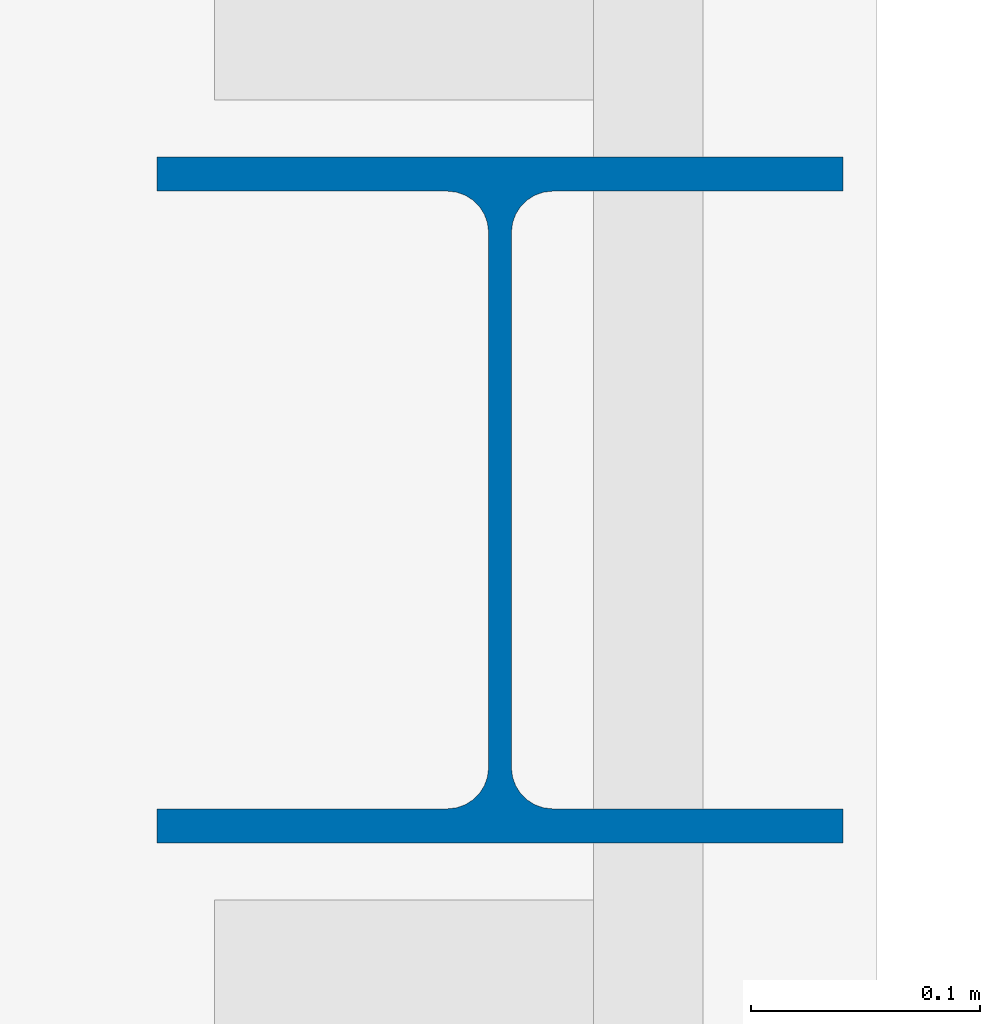
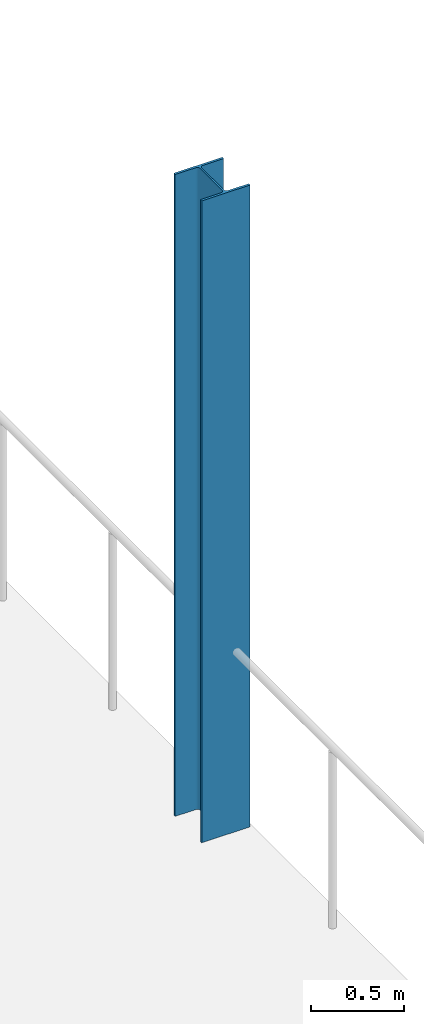
# One storey, part 13 of 58: 1 column.
"""IFC4 building model written with IfcOpenShell, lengths in metres."""

from ifc_helpers import new_model, si_unit, direction, frame, origin, origin_2d, place, context, subcontext, project, spatial, i_section, extrude, material, material_profile, profile_set, type_object, element, save


model = new_model("IFC4")

# Units and contexts
model_context = context("Model", 3, precision=1e-05, world=origin(), true_north=direction((0.0, 1.0)))
body_context = subcontext(model_context, "Body", "Model", "MODEL_VIEW")
ifc_project = project(units=[si_unit("LENGTHUNIT", "METRE"), si_unit("AREAUNIT", "SQUARE_METRE"), si_unit("VOLUMEUNIT", "CUBIC_METRE"), si_unit("PLANEANGLEUNIT", "RADIAN"), si_unit("MASSUNIT", "GRAM", prefix="KILO")], contexts=[model_context])

# Site, building, storey
site_placement = place(None, origin())
site = spatial("IfcSite", under=ifc_project, at=site_placement, CompositionType="ELEMENT")
building_placement = place(site_placement, origin())
building = spatial("IfcBuilding", under=site, at=building_placement, Name="Yeouljin Market Hall", CompositionType="ELEMENT")
storey_placement = place(building_placement, frame((0.0, 0.0, 10.800048828125)))
storey = spatial("IfcBuildingStorey", under=building, at=storey_placement, Name="L02", CompositionType="ELEMENT", Elevation=10.800048828125)

# Column
ifc_material = material(Name="Steel SM355", Category="steel")
ifc_material_profile = material_profile(ifc_material, i_section(OverallWidth=0.300048828125, OverallDepth=0.300048828125, WebThickness=0.010009765625, FlangeThickness=0.014892578125, FilletRadius=0.01806640625, at=origin_2d()), Name="H-300x300x10x15")
ifc_profile_set = profile_set([ifc_material_profile], Name="Steel SM355")
column_type = type_object("IfcColumnType", Name="Col_H-300x300x10x15", PredefinedType="COLUMN", material=ifc_profile_set)
column_placement = place(storey_placement, frame((140.8349609375, 57.0, 0.0), z_axis=(0.0, 0.0, 1.0), x_axis=(1.0, 0.0, 0.0)))
element("IfcColumn", 1, at=column_placement, inside=storey, type_object=column_type, Name="Column G-16-06 (L02)", PredefinedType="COLUMN", context=body_context, shape_type="SweptSolid", body=[
    extrude(i_section(OverallWidth=0.300048828125, OverallDepth=0.300048828125, WebThickness=0.010009765625, FlangeThickness=0.014892578125, FilletRadius=0.01806640625, at=origin_2d()), origin(), (0.0, 0.0, 1.0), 4.199951171875),
])

save(model, "model.ifc")
